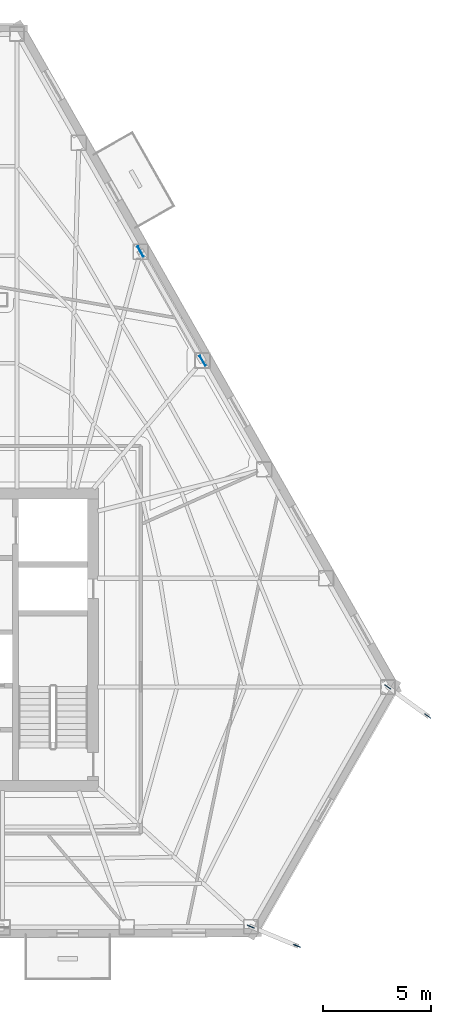
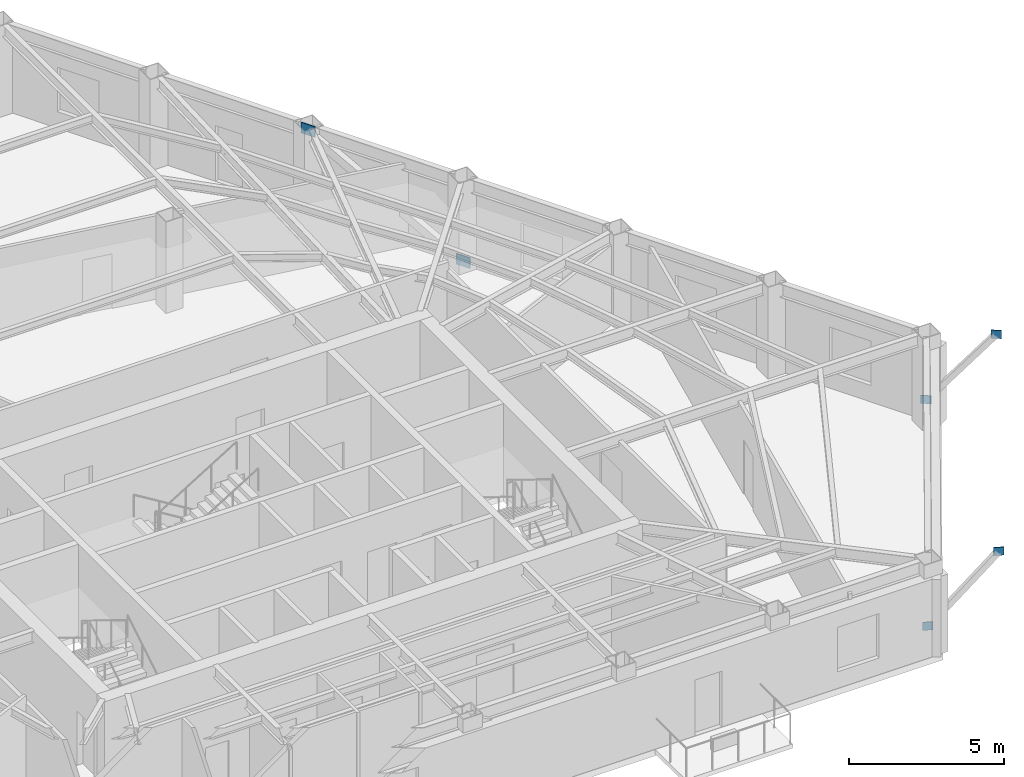
# One storey, part 5 of 11: 6 plates.
"""IFC4 building model written with IfcOpenShell, lengths in metres."""

from ifc_helpers import new_model, si_unit, direction, frame, origin, origin_2d, place, context, subcontext, project, spatial, rectangle, extrude, material, layer, layer_set, type_object, element, save


model = new_model("IFC4")

# Units and contexts
model_context = context("Model", 3, precision=1e-05, world=origin(), true_north=direction((0.0, 1.0)))
body_context = subcontext(model_context, "Body", "Model", "MODEL_VIEW")
ifc_project = project(units=[si_unit("LENGTHUNIT", "METRE"), si_unit("AREAUNIT", "SQUARE_METRE"), si_unit("VOLUMEUNIT", "CUBIC_METRE"), si_unit("PLANEANGLEUNIT", "RADIAN"), si_unit("MASSUNIT", "GRAM", prefix="KILO")], contexts=[model_context])

# Site, building, storey
site_placement = place(None, origin())
site = spatial("IfcSite", under=ifc_project, at=site_placement, CompositionType="ELEMENT")
building_placement = place(site_placement, origin())
building = spatial("IfcBuilding", under=site, at=building_placement, Name="Kavelnor Concourse Tower", CompositionType="ELEMENT")
storey_placement = place(building_placement, frame((0.0, 0.0, 89.35009765625)))
storey = spatial("IfcBuildingStorey", under=building, at=storey_placement, Name="L22", CompositionType="ELEMENT", Elevation=89.35009765625)

# Plates
ifc_material = material(Name="Steel Grade 350", Category="steel")
ifc_layer_1 = layer(ifc_material, 0.028076171875, Name="Steel Grade 350")
ifc_layer_set_1 = layer_set([ifc_layer_1], Name="Steel Grade 350")
plate_type_1 = type_object("IfcPlateType", Name="PL-GUSSET-FOLD", PredefinedType="USERDEFINED", material=ifc_layer_set_1)
for number, where, z_axis, x_axis, name in (
    (1, (55.043701171875, 2.859619140625, 0.73974609375), (0.0, 0.0, 1.0), (0.923411307113, -0.383811878264, 0.0), "L22 Terrace Strut Gusset GP4 C2-A End Gusset A"),
    (2, (57.177734375, 1.97265625, 3.47509765625), (0.0, 0.0, 1.0), (0.923411307113, -0.383811878264, 0.0), "L22 Terrace Strut Gusset GP4 C2-A End Gusset B"),
    (3, (61.36767578125, 13.92236328125, 0.73974609375), (0.0, 0.0, 1.0), (0.809427148707, -0.587220308688, 0.0), "L22 Terrace Strut Gusset GP4 C2-B End Gusset A"),
    (4, (63.2158203125, 12.58154296875, 3.47509765625), (0.0, 0.0, 1.0), (0.809427148707, -0.587220308688, 0.0), "L22 Terrace Strut Gusset GP4 C2-B End Gusset B"),
):
    element("IfcPlate", number, at=place(storey_placement, frame(where, z_axis=z_axis, x_axis=x_axis)), inside=storey, type_object=plate_type_1, Name=name, ObjectType="GUSSET_PLATE", PredefinedType="USERDEFINED", context=body_context, shape_type="SweptSolid", body=[
        extrude(rectangle(XDim=0.340087890625, YDim=0.028076171875, at=origin_2d()), origin(), (0.0, 0.0, 1.0), 0.320068359375),
    ])
ifc_layer_2 = layer(ifc_material, 0.031982421875, Name="Steel Grade 350")
ifc_layer_set_2 = layer_set([ifc_layer_2], Name="Steel Grade 350")
plate_type_2 = type_object("IfcPlateType", Name="PL-GUSSET-TUBE-Z1", PredefinedType="USERDEFINED", material=ifc_layer_set_2)
for number, where, z_axis, x_axis, name in (
    (5, (52.822265625, 28.976318359375, 0.010009765625), (0.0, 0.0, 1.0), (-0.493941866584, 0.869494929505, 0.0), "L22 Tube Brace Gusset GP3 F2-B3 End Gusset A"),
    (6, (49.956787109375, 34.02099609375, 3.12353515625), (0.0, 0.0, 1.0), (-0.493941866584, 0.869494929505, 0.0), "L22 Tube Brace Gusset GP3 F2-B3 End Gusset B"),
):
    element("IfcPlate", number, at=place(storey_placement, frame(where, z_axis=z_axis, x_axis=x_axis)), inside=storey, type_object=plate_type_2, Name=name, ObjectType="GUSSET_PLATE", PredefinedType="USERDEFINED", context=body_context, shape_type="SweptSolid", body=[
        extrude(rectangle(XDim=0.52001953125, YDim=0.031982421875, at=origin_2d()), origin(), (0.0, 0.0, 1.0), 0.419921875),
    ])

save(model, "model.ifc")
